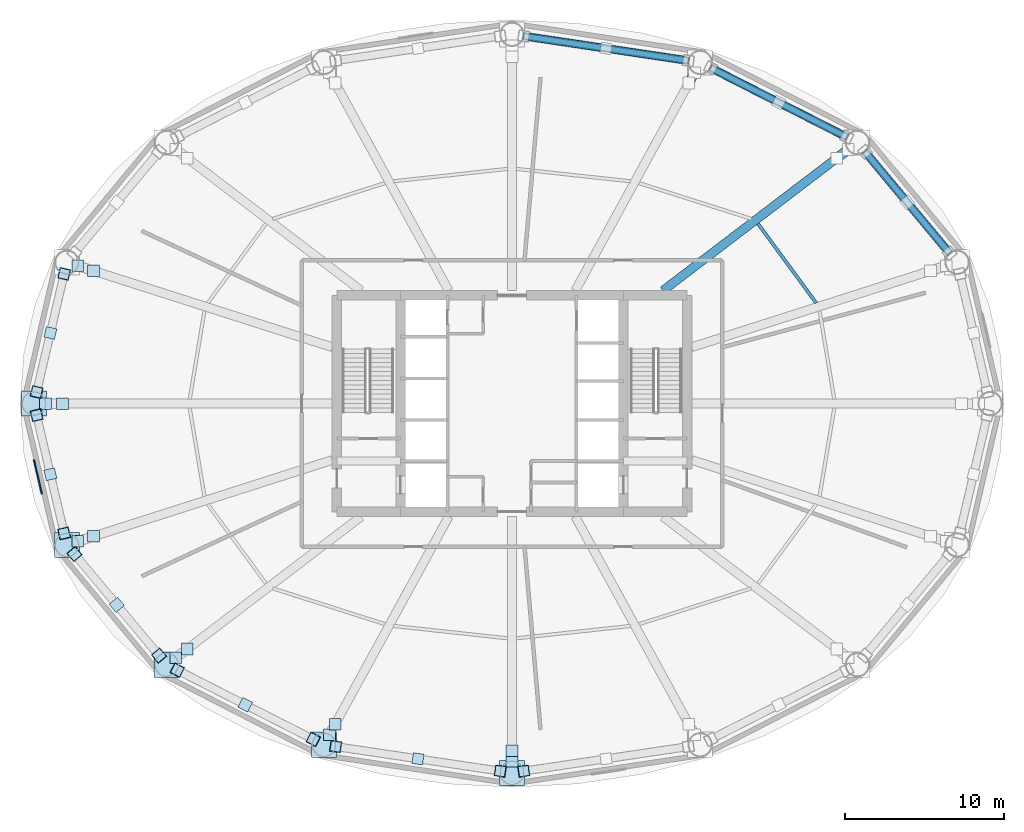
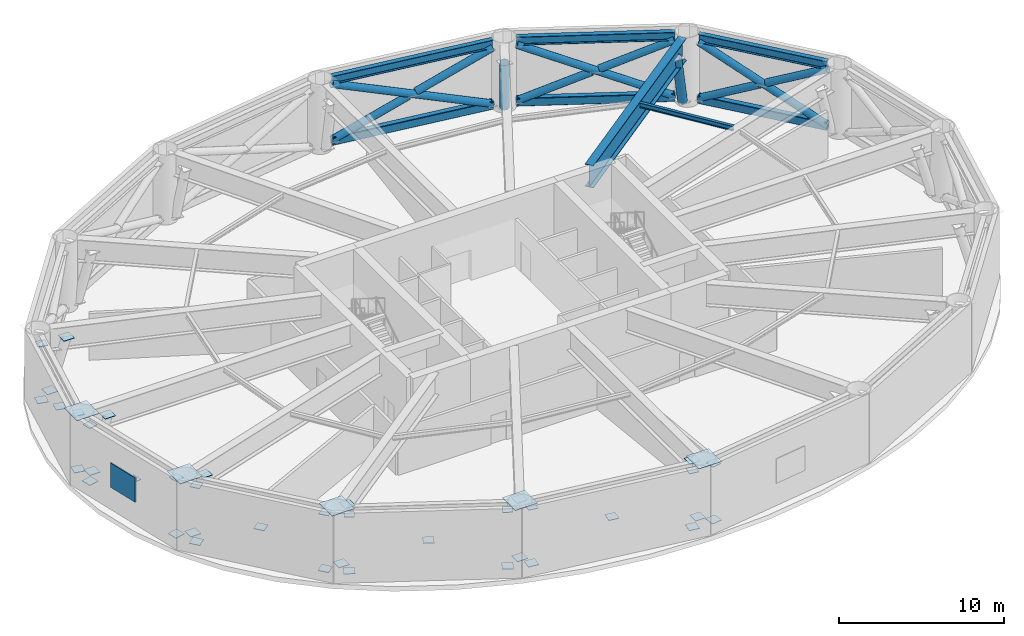
# One storey, part 3 of 7: 45 plates, 14 members, 5 beams.
"""IFC4 building model written with IfcOpenShell, lengths in metres."""

from ifc_helpers import new_model, si_unit, direction, frame, origin, origin_2d, place, context, subcontext, project, spatial, rectangle, hollow_rectangle, hollow_circle, i_section, extrude, material, layer, layer_set, material_profile, profile_set, type_object, element, save


model = new_model("IFC4")

# Units and contexts
model_context = context("Model", 3, precision=1e-05, world=origin(), true_north=direction((0.0, 1.0)))
body_context = subcontext(model_context, "Body", "Model", "MODEL_VIEW")
ifc_project = project(units=[si_unit("LENGTHUNIT", "METRE"), si_unit("AREAUNIT", "SQUARE_METRE"), si_unit("VOLUMEUNIT", "CUBIC_METRE"), si_unit("PLANEANGLEUNIT", "RADIAN"), si_unit("MASSUNIT", "GRAM", prefix="KILO")], contexts=[model_context])

# Site, building, storey
site_placement = place(None, origin())
site = spatial("IfcSite", under=ifc_project, at=site_placement, CompositionType="ELEMENT")
building_placement = place(site_placement, origin())
building = spatial("IfcBuilding", under=site, at=building_placement, Name="Sarneth Arch Tower", CompositionType="ELEMENT")
storey_placement = place(building_placement, frame((0.0, 0.0, 78.60009765625)))
storey = spatial("IfcBuildingStorey", under=building, at=storey_placement, Name="L19", CompositionType="ELEMENT", Elevation=78.60009765625)

# Beams
ifc_material_1 = material(Name="Steel S355", Category="steel")
ifc_material_profile_1 = material_profile(ifc_material_1, i_section(OverallWidth=0.202880859375, OverallDepth=0.346923828125, WebThickness=0.0078125, FlangeThickness=0.013427734375, FilletRadius=0.014892578125, at=origin_2d()), Name="W360x64")
ifc_profile_set_1 = profile_set([ifc_material_profile_1], Name="Steel S355")
beam_type_1 = type_object("IfcBeamType", Name="BM-JOIST-360C", PredefinedType="JOIST", material=ifc_profile_set_1)
beam_1_placement = place(storey_placement, frame((67.113037109375, 48.3193359375, 4.976318359375), z_axis=(-0.59154342723, 0.806273138397, 0.0), x_axis=(-0.806273138397, -0.59154342723, 0.0)))
element("IfcBeam", 1, at=beam_1_placement, inside=storey, type_object=beam_type_1, Name="L19 Secondary floor joist 02", PredefinedType="JOIST", context=body_context, shape_type="SweptSolid", body=[
    extrude(i_section(OverallWidth=0.202880859375, OverallDepth=0.346923828125, WebThickness=0.0078125, FlangeThickness=0.013427734375, FilletRadius=0.014892578125, at=origin_2d()), origin(), (0.0, 0.0, 1.0), 6.181640625),
])
ifc_material_2 = material(Name="Steel S355", Category="steel")
ifc_material_profile_2 = material_profile(ifc_material_2, i_section(OverallWidth=0.326904296875, OverallDepth=0.6220703125, WebThickness=0.015380859375, FlangeThickness=0.0244140625, FilletRadius=0.01904296875, at=origin_2d()), Name="W610x195")
ifc_profile_set_2 = profile_set([ifc_material_profile_2], Name="Steel S355")
beam_type_2 = type_object("IfcBeamType", Name="BM-SPAN-610A", PredefinedType="SPANDREL", material=ifc_profile_set_2)
beam_2_placement = place(storey_placement, frame((75.485595703125, 51.45458984375, 4.8388671875), z_axis=(-0.639981736251, 0.768390120489, 0.0), x_axis=(-0.768390120489, -0.639981736251, 0.0)))
element("IfcBeam", 2, at=beam_2_placement, inside=storey, type_object=beam_type_2, Name="L19 Perimeter spandrel beam 02", PredefinedType="SPANDREL", context=body_context, shape_type="SweptSolid", body=[
    extrude(i_section(OverallWidth=0.326904296875, OverallDepth=0.6220703125, WebThickness=0.015380859375, FlangeThickness=0.0244140625, FilletRadius=0.01904296875, at=origin_2d()), origin(), (0.0, 0.0, 1.0), 8.29541015625),
])
beam_3_placement = place(storey_placement, frame((69.0283203125, 58.7451171875, 4.8388671875), z_axis=(-0.891169106887, 0.453671271882, 0.0), x_axis=(-0.453671271882, -0.891169106887, 0.0)))
element("IfcBeam", 3, at=beam_3_placement, inside=storey, type_object=beam_type_2, Name="L19 Perimeter spandrel beam 03", PredefinedType="SPANDREL", context=body_context, shape_type="SweptSolid", body=[
    extrude(i_section(OverallWidth=0.326904296875, OverallDepth=0.6220703125, WebThickness=0.015380859375, FlangeThickness=0.0244140625, FilletRadius=0.01904296875, at=origin_2d()), origin(), (0.0, 0.0, 1.0), 9.58544921875),
])
beam_4_placement = place(storey_placement, frame((59.076171875, 63.544921875, 4.8388671875), z_axis=(-0.989020169581, 0.147780594675, 0.0), x_axis=(-0.147780594675, -0.989020169581, 0.0)))
element("IfcBeam", 4, at=beam_4_placement, inside=storey, type_object=beam_type_2, Name="L19 Perimeter spandrel beam 04", PredefinedType="SPANDREL", context=body_context, shape_type="SweptSolid", body=[
    extrude(i_section(OverallWidth=0.326904296875, OverallDepth=0.6220703125, WebThickness=0.015380859375, FlangeThickness=0.0244140625, FilletRadius=0.01904296875, at=origin_2d()), origin(), (0.0, 0.0, 1.0), 10.44921875),
])
ifc_material_3 = material(Name="Steel S355", Category="steel")
ifc_material_profile_3 = material_profile(ifc_material_3, i_section(OverallWidth=0.550048828125, OverallDepth=1.64990234375, WebThickness=0.02197265625, FlangeThickness=0.0380859375, FilletRadius=0.02392578125, at=origin_2d()), Name="CVS1650x680")
ifc_profile_set_3 = profile_set([ifc_material_profile_3], Name="Steel S355")
beam_type_3 = type_object("IfcBeamType", Name="BM-XFER-1650", PredefinedType="BEAM", material=ifc_profile_set_3)
beam_5_placement = place(storey_placement, frame((57.487060546875, 49.10009765625, 4.324951171875), z_axis=(0.79536339196, 0.606132885373, 0.0), x_axis=(-0.606132885373, 0.79536339196, 0.0)))
element("IfcBeam", 5, at=beam_5_placement, inside=storey, type_object=beam_type_3, Name="L19 Step-taper transfer girder 03", PredefinedType="BEAM", context=body_context, shape_type="SweptSolid", body=[
    extrude(i_section(OverallWidth=0.550048828125, OverallDepth=1.64990234375, WebThickness=0.02197265625, FlangeThickness=0.0380859375, FilletRadius=0.02392578125, at=origin_2d()), origin(), (0.0, 0.0, 1.0), 14.600830078125),
])

# Members
ifc_material_4 = material(Name="Steel S355", Category="steel")
ifc_material_profile_4 = material_profile(ifc_material_4, hollow_rectangle(XDim=0.39990234375, YDim=0.60009765625, WallThickness=0.02197265625, InnerFilletRadius=0.032958984375, OuterFilletRadius=0.054931640625, at=origin_2d()), Name="RHS600x400x22")
ifc_profile_set_4 = profile_set([ifc_material_profile_4], Name="Steel S355")
member_type_1 = type_object("IfcMemberType", Name="MEM-BELT-CHORD", PredefinedType="CHORD", material=ifc_profile_set_4)
member_1_placement = place(storey_placement, frame((75.485595703125, 51.45458984375, 0.349853515625), z_axis=(-0.639981736251, 0.768390120489, 0.0), x_axis=(-0.768390120489, -0.639981736251, 0.0)))
element("IfcMember", 6, at=member_1_placement, inside=storey, type_object=member_type_1, Name="L19 Ring belt bottom chord 02", PredefinedType="CHORD", context=body_context, shape_type="SweptSolid", body=[
    extrude(hollow_rectangle(XDim=0.39990234375, YDim=0.60009765625, WallThickness=0.02197265625, InnerFilletRadius=0.032958984375, OuterFilletRadius=0.054931640625, at=origin_2d()), origin(), (0.0, 0.0, 1.0), 8.29541015625),
])
member_2_placement = place(storey_placement, frame((69.0283203125, 58.7451171875, 0.349853515625), z_axis=(-0.891169106887, 0.453671271882, 0.0), x_axis=(-0.453671271882, -0.891169106887, 0.0)))
element("IfcMember", 7, at=member_2_placement, inside=storey, type_object=member_type_1, Name="L19 Ring belt bottom chord 03", PredefinedType="CHORD", context=body_context, shape_type="SweptSolid", body=[
    extrude(hollow_rectangle(XDim=0.39990234375, YDim=0.60009765625, WallThickness=0.02197265625, InnerFilletRadius=0.032958984375, OuterFilletRadius=0.054931640625, at=origin_2d()), origin(), (0.0, 0.0, 1.0), 9.58544921875),
])
member_3_placement = place(storey_placement, frame((59.076171875, 63.544921875, 0.349853515625), z_axis=(-0.989020169581, 0.147780594675, 0.0), x_axis=(-0.147780594675, -0.989020169581, 0.0)))
element("IfcMember", 8, at=member_3_placement, inside=storey, type_object=member_type_1, Name="L19 Ring belt bottom chord 04", PredefinedType="CHORD", context=body_context, shape_type="SweptSolid", body=[
    extrude(hollow_rectangle(XDim=0.39990234375, YDim=0.60009765625, WallThickness=0.02197265625, InnerFilletRadius=0.032958984375, OuterFilletRadius=0.054931640625, at=origin_2d()), origin(), (0.0, 0.0, 1.0), 10.44921875),
])
ifc_material_5 = material(Name="Steel S355", Category="steel")
ifc_material_profile_5 = material_profile(ifc_material_5, hollow_circle(Radius=0.304931640625, WallThickness=0.02001953125, at=origin_2d()), Name="CHS610x20")
ifc_profile_set_5 = profile_set([ifc_material_profile_5], Name="Steel S355")
member_type_2 = type_object("IfcMemberType", Name="MEM-BELT-DIAG1", PredefinedType="BRACE", material=ifc_profile_set_5)
member_4_placement = place(storey_placement, frame((69.115966796875, 57.96240234375, 0.449951171875), z_axis=(-0.184239852461, -0.140403041882, 0.972801450757), x_axis=(0.60612466617, -0.795369655607, 0.0)))
element("IfcMember", 9, at=member_4_placement, inside=storey, type_object=member_type_2, Name="L19 Step-taper inclined transfer strut 03", PredefinedType="BRACE", context=body_context, shape_type="SweptSolid", body=[
    extrude(hollow_circle(Radius=0.304931640625, WallThickness=0.02001953125, at=origin_2d()), origin(), (0.0, 0.0, 1.0), 3.8984375),
])
member_5_placement = place(storey_placement, frame((59.467529296875, 62.79345703125, 0.449951171875), z_axis=(-0.092418184178, -0.16891744668, 0.981287814782), x_axis=(0.877280487813, -0.479978067939, 0.0)))
element("IfcMember", 10, at=member_5_placement, inside=storey, type_object=member_type_2, Name="L19 Step-taper inclined transfer strut 04", PredefinedType="BRACE", context=body_context, shape_type="SweptSolid", body=[
    extrude(hollow_circle(Radius=0.304931640625, WallThickness=0.02001953125, at=origin_2d()), origin(), (0.0, 0.0, 1.0), 3.86474609375),
])
ifc_material_6 = material(Name="Steel S355", Category="steel")
ifc_material_profile_6 = material_profile(ifc_material_6, hollow_circle(Radius=0.25390625, WallThickness=0.01611328125, at=origin_2d()), Name="CHS508x16")
ifc_profile_set_6 = profile_set([ifc_material_profile_6], Name="Steel S355")
member_type_3 = type_object("IfcMemberType", Name="MEM-BELT-DIAG2", PredefinedType="BRACE", material=ifc_profile_set_6)
member_6_placement = place(storey_placement, frame((75.485595703125, 51.45458984375, 0.349853515625), z_axis=(-0.572132320621, 0.686927138504, 0.448102347781), x_axis=(-0.768390120489, -0.639981736251, 0.0)))
element("IfcMember", 11, at=member_6_placement, inside=storey, type_object=member_type_3, Name="L19 Ring belt continuous diagonal A02", PredefinedType="BRACE", context=body_context, shape_type="SweptSolid", body=[
    extrude(hollow_circle(Radius=0.25390625, WallThickness=0.01611328125, at=origin_2d()), origin(), (0.0, 0.0, 1.0), 9.279052734375),
])
member_7_placement = place(storey_placement, frame((70.1767578125, 57.82861328125, 0.349853515625), z_axis=(0.57209438266, -0.686947085381, 0.448120206211), x_axis=(0.768420127231, 0.639945707124, 0.0)))
element("IfcMember", 12, at=member_7_placement, inside=storey, type_object=member_type_3, Name="L19 Ring belt split diagonal B1-02", PredefinedType="BRACE", context=body_context, shape_type="SweptSolid", body=[
    extrude(hollow_circle(Radius=0.25390625, WallThickness=0.01611328125, at=origin_2d()), origin(), (0.0, 0.0, 1.0), 4.3896484375),
])
member_8_placement = place(storey_placement, frame((72.97412109375, 54.4697265625, 2.541015625), z_axis=(0.572167914661, -0.686912972301, 0.448078615778), x_axis=(0.768364050648, 0.640013035548, 0.0)))
element("IfcMember", 13, at=member_8_placement, inside=storey, type_object=member_type_3, Name="L19 Ring belt split diagonal B2-02", PredefinedType="BRACE", context=body_context, shape_type="SweptSolid", body=[
    extrude(hollow_circle(Radius=0.25390625, WallThickness=0.01611328125, at=origin_2d()), origin(), (0.0, 0.0, 1.0), 4.389404296875),
])
member_9_placement = place(storey_placement, frame((69.0283203125, 58.7451171875, 0.349853515625), z_axis=(-0.817564175755, 0.416200894525, 0.397951798487), x_axis=(-0.453671271882, -0.891169106887, 0.0)))
element("IfcMember", 14, at=member_9_placement, inside=storey, type_object=member_type_3, Name="L19 Ring belt continuous diagonal A03", PredefinedType="BRACE", context=body_context, shape_type="SweptSolid", body=[
    extrude(hollow_circle(Radius=0.25390625, WallThickness=0.01611328125, at=origin_2d()), origin(), (0.0, 0.0, 1.0), 10.448486328125),
])
for number, where, z_axis, x_axis, name in (
    (15, (60.486083984375, 63.09375, 0.349853515625), (0.817555850033, -0.416213820513, 0.397955384047), (0.453686130759, 0.891161542459, 0.0), "L19 Ring belt split diagonal B1-03"),
    (16, (64.961669921875, 60.8154296875, 2.5283203125), (0.817555850033, -0.416213820513, 0.397955384047), (0.453686130759, 0.891161542459, 0.0), "L19 Ring belt split diagonal B2-03"),
):
    element("IfcMember", number, at=place(storey_placement, frame(where, z_axis=z_axis, x_axis=x_axis)), inside=storey, type_object=member_type_3, Name=name, PredefinedType="BRACE", context=body_context, shape_type="SweptSolid", body=[
        extrude(hollow_circle(Radius=0.25390625, WallThickness=0.01611328125, at=origin_2d()), origin(), (0.0, 0.0, 1.0), 4.97412109375),
    ])
member_10_placement = place(storey_placement, frame((59.076171875, 63.544921875, 0.349853515625), z_axis=(-0.918939432826, 0.137309045892, 0.369724958197), x_axis=(-0.147780594675, -0.989020169581, 0.0)))
element("IfcMember", 17, at=member_10_placement, inside=storey, type_object=member_type_3, Name="L19 Ring belt continuous diagonal A04", PredefinedType="BRACE", context=body_context, shape_type="SweptSolid", body=[
    extrude(hollow_circle(Radius=0.25390625, WallThickness=0.01611328125, at=origin_2d()), origin(), (0.0, 0.0, 1.0), 11.24609375),
])
for number, where, z_axis, x_axis, name in (
    (18, (48.74169921875, 65.089111328125, 0.349853515625), (0.918937272921, -0.137313510619, 0.369728668402), (0.147785634721, 0.989019416478, 0.0), "L19 Ring belt split diagonal B1-04"),
    (19, (54.138671875, 64.28271484375, 2.521240234375), (0.918937272921, -0.137313510619, 0.369728668402), (0.147785634721, 0.989019416478, 0.0), "L19 Ring belt split diagonal B2-04"),
):
    element("IfcMember", number, at=place(storey_placement, frame(where, z_axis=z_axis, x_axis=x_axis)), inside=storey, type_object=member_type_3, Name=name, PredefinedType="BRACE", context=body_context, shape_type="SweptSolid", body=[
        extrude(hollow_circle(Radius=0.25390625, WallThickness=0.01611328125, at=origin_2d()), origin(), (0.0, 0.0, 1.0), 5.373046875),
    ])

# Plates
ifc_material_7 = material(Name="Powder-coated Aluminium 6063-T6 stormproof acoustic louvre", Category="aluminium")
ifc_layer_1 = layer(ifc_material_7, 0.094970703125)
ifc_layer_set_1 = layer_set([ifc_layer_1], Name="Powder-coated Aluminium 6063-T6 stormproof acoustic louvre")
plate_type_1 = type_object("IfcPlateType", Name="LOUVRE-PLANT", PredefinedType="SHEET", material=ifc_layer_set_1)
plate_1_placement = place(storey_placement, frame((18.215576171875, 37.39697265625, 1.6748046875), z_axis=(0.0, 0.0, 1.0), x_axis=(0.225461202458, -0.974252147129, 0.0)))
element("IfcPlate", 20, at=plate_1_placement, inside=storey, type_object=plate_type_1, Name="L19 Mechanical louvre 09", PredefinedType="SHEET", context=body_context, shape_type="SweptSolid", body=[
    extrude(rectangle(XDim=2.199951171875, YDim=0.094970703125, at=origin_2d()), origin(), (0.0, 0.0, 1.0), 1.800048828125),
])
ifc_material_8 = material(Name="Steel S355", Category="steel")
ifc_layer_2 = layer(ifc_material_8, 0.035888671875)
ifc_layer_set_2 = layer_set([ifc_layer_2], Name="Steel S355")
plate_type_2 = type_object("IfcPlateType", Name="PLT-GUSSET-30", PredefinedType="SHEET", material=ifc_layer_set_2)
plate_2_placement = place(storey_placement, frame((18.999755859375, 46.439208984375, 2.4111328125), z_axis=(0.0, 0.0, 1.0), x_axis=(-0.226991275371, -0.973896791711, 0.0)))
element("IfcPlate", 21, at=plate_2_placement, inside=storey, type_object=plate_type_2, Name="Steel end cap plate GP-1", PredefinedType="SHEET", context=body_context, shape_type="SweptSolid", body=[
    extrude(rectangle(XDim=0.679931640625, YDim=0.679931640625, at=origin_2d()), origin(), (0.0, 0.0, 1.0), 0.035888671875),
])
for number, where, z_axis, x_axis, name in (
    (22, (19.8642578125, 50.14794921875, 0.33203125), (0.0, 0.0, 1.0), (0.226991275371, 0.973896791711, 0.0), "Steel end cap plate GP-1"),
    (23, (18.135498046875, 42.73046875, 0.33203125), (0.0, 0.0, 1.0), (-0.226991275371, -0.973896791711, 0.0), "Steel end cap plate GP-1"),
):
    element("IfcPlate", number, at=place(storey_placement, frame(where, z_axis=z_axis, x_axis=x_axis)), inside=storey, type_object=plate_type_2, Name=name, PredefinedType="SHEET", context=body_context, shape_type="SweptSolid", body=[
        extrude(rectangle(XDim=0.699951171875, YDim=0.699951171875, at=origin_2d()), origin(), (0.0, 0.0, 1.0), 0.035888671875),
    ])
for number, where, z_axis, x_axis, name in (
    (24, (19.8642578125, 50.14794921875, 4.48974609375), (0.0, 0.0, 1.0), (0.226991275371, 0.973896791711, 0.0), "Steel end cap plate GP-1"),
    (25, (18.135498046875, 42.73046875, 4.48974609375), (0.0, 0.0, 1.0), (-0.226991275371, -0.973896791711, 0.0), "Steel end cap plate GP-1"),
):
    element("IfcPlate", number, at=place(storey_placement, frame(where, z_axis=z_axis, x_axis=x_axis)), inside=storey, type_object=plate_type_2, Name=name, PredefinedType="SHEET", context=body_context, shape_type="SweptSolid", body=[
        extrude(rectangle(XDim=0.6298828125, YDim=0.6298828125, at=origin_2d()), origin(), (0.0, 0.0, 1.0), 0.035888671875),
    ])
for number, where, z_axis, x_axis, name in (
    (26, (20.729736328125, 50.65576171875, 0.43212890625), (0.0, 0.0, 1.0), (1.0, 0.0, 0.0), "Steel end cap plate GP-1"),
    (27, (21.708740234375, 50.342529296875, 4.224609375), (0.0, 0.0, 1.0), (1.0, 0.0, 0.0), "Steel end cap plate GP-1"),
):
    element("IfcPlate", number, at=place(storey_placement, frame(where, z_axis=z_axis, x_axis=x_axis)), inside=storey, type_object=plate_type_2, Name=name, PredefinedType="SHEET", context=body_context, shape_type="SweptSolid", body=[
        extrude(rectangle(XDim=0.72998046875, YDim=0.72998046875, at=origin_2d()), origin(), (0.0, 0.0, 1.0), 0.035888671875),
    ])
plate_3_placement = place(storey_placement, frame((18.999755859375, 37.560791015625, 2.4111328125), z_axis=(0.0, 0.0, 1.0), x_axis=(0.226991275371, -0.973896791711, 0.0)))
element("IfcPlate", 28, at=plate_3_placement, inside=storey, type_object=plate_type_2, Name="Steel end cap plate GP-1", PredefinedType="SHEET", context=body_context, shape_type="SweptSolid", body=[
    extrude(rectangle(XDim=0.679931640625, YDim=0.679931640625, at=origin_2d()), origin(), (0.0, 0.0, 1.0), 0.035888671875),
])
for number, where, z_axis, x_axis, name in (
    (29, (18.135498046875, 41.26953125, 0.33203125), (0.0, 0.0, 1.0), (-0.226991275371, 0.973896791711, 0.0), "Steel end cap plate GP-1"),
    (30, (19.8642578125, 33.85205078125, 0.33203125), (0.0, 0.0, 1.0), (0.226991275371, -0.973896791711, 0.0), "Steel end cap plate GP-1"),
):
    element("IfcPlate", number, at=place(storey_placement, frame(where, z_axis=z_axis, x_axis=x_axis)), inside=storey, type_object=plate_type_2, Name=name, PredefinedType="SHEET", context=body_context, shape_type="SweptSolid", body=[
        extrude(rectangle(XDim=0.699951171875, YDim=0.699951171875, at=origin_2d()), origin(), (0.0, 0.0, 1.0), 0.035888671875),
    ])
for number, where, z_axis, x_axis, name in (
    (31, (18.135498046875, 41.26953125, 4.48974609375), (0.0, 0.0, 1.0), (-0.226991275371, 0.973896791711, 0.0), "Steel end cap plate GP-1"),
    (32, (19.8642578125, 33.85205078125, 4.48974609375), (0.0, 0.0, 1.0), (0.226991275371, -0.973896791711, 0.0), "Steel end cap plate GP-1"),
):
    element("IfcPlate", number, at=place(storey_placement, frame(where, z_axis=z_axis, x_axis=x_axis)), inside=storey, type_object=plate_type_2, Name=name, PredefinedType="SHEET", context=body_context, shape_type="SweptSolid", body=[
        extrude(rectangle(XDim=0.6298828125, YDim=0.6298828125, at=origin_2d()), origin(), (0.0, 0.0, 1.0), 0.035888671875),
    ])
for number, where, z_axis, x_axis, name in (
    (33, (18.6953125, 42.0, 0.43212890625), (0.0, 0.0, 1.0), (1.0, 0.0, 0.0), "Steel end cap plate GP-1"),
    (34, (19.763427734375, 42.0, 4.224609375), (0.0, 0.0, 1.0), (1.0, 0.0, 0.0), "Steel end cap plate GP-1"),
):
    element("IfcPlate", number, at=place(storey_placement, frame(where, z_axis=z_axis, x_axis=x_axis)), inside=storey, type_object=plate_type_2, Name=name, PredefinedType="SHEET", context=body_context, shape_type="SweptSolid", body=[
        extrude(rectangle(XDim=0.72998046875, YDim=0.72998046875, at=origin_2d()), origin(), (0.0, 0.0, 1.0), 0.035888671875),
    ])
plate_4_placement = place(storey_placement, frame((23.1689453125, 29.3583984375, 2.4111328125), z_axis=(0.0, 0.0, 1.0), x_axis=(0.639975598965, -0.76839523211, 0.0)))
element("IfcPlate", 35, at=plate_4_placement, inside=storey, type_object=plate_type_2, Name="Steel end cap plate GP-1", PredefinedType="SHEET", context=body_context, shape_type="SweptSolid", body=[
    extrude(rectangle(XDim=0.679931640625, YDim=0.679931640625, at=origin_2d()), origin(), (0.0, 0.0, 1.0), 0.035888671875),
])
for number, where, z_axis, x_axis, name in (
    (36, (20.514404296875, 32.54541015625, 0.33203125), (0.0, 0.0, 1.0), (-0.639975598965, 0.76839523211, 0.0), "Steel end cap plate GP-1"),
    (37, (25.8232421875, 26.17138671875, 0.33203125), (0.0, 0.0, 1.0), (0.639975598965, -0.76839523211, 0.0), "Steel end cap plate GP-1"),
):
    element("IfcPlate", number, at=place(storey_placement, frame(where, z_axis=z_axis, x_axis=x_axis)), inside=storey, type_object=plate_type_2, Name=name, PredefinedType="SHEET", context=body_context, shape_type="SweptSolid", body=[
        extrude(rectangle(XDim=0.699951171875, YDim=0.699951171875, at=origin_2d()), origin(), (0.0, 0.0, 1.0), 0.035888671875),
    ])
for number, where, z_axis, x_axis, name in (
    (38, (20.514404296875, 32.54541015625, 4.48974609375), (0.0, 0.0, 1.0), (-0.639975598965, 0.76839523211, 0.0), "Steel end cap plate GP-1"),
    (39, (25.8232421875, 26.17138671875, 4.48974609375), (0.0, 0.0, 1.0), (0.639975598965, -0.76839523211, 0.0), "Steel end cap plate GP-1"),
):
    element("IfcPlate", number, at=place(storey_placement, frame(where, z_axis=z_axis, x_axis=x_axis)), inside=storey, type_object=plate_type_2, Name=name, PredefinedType="SHEET", context=body_context, shape_type="SweptSolid", body=[
        extrude(rectangle(XDim=0.6298828125, YDim=0.6298828125, at=origin_2d()), origin(), (0.0, 0.0, 1.0), 0.035888671875),
    ])
for number, where, z_axis, x_axis, name in (
    (40, (20.729736328125, 33.34423828125, 0.43212890625), (0.0, 0.0, 1.0), (1.0, 0.0, 0.0), "Steel end cap plate GP-1"),
    (41, (21.708740234375, 33.657470703125, 4.224609375), (0.0, 0.0, 1.0), (1.0, 0.0, 0.0), "Steel end cap plate GP-1"),
):
    element("IfcPlate", number, at=place(storey_placement, frame(where, z_axis=z_axis, x_axis=x_axis)), inside=storey, type_object=plate_type_2, Name=name, PredefinedType="SHEET", context=body_context, shape_type="SweptSolid", body=[
        extrude(rectangle(XDim=0.72998046875, YDim=0.72998046875, at=origin_2d()), origin(), (0.0, 0.0, 1.0), 0.035888671875),
    ])
plate_5_placement = place(storey_placement, frame((31.24267578125, 23.08056640625, 2.4111328125), z_axis=(0.0, 0.0, 1.0), x_axis=(0.891164942482, -0.453679452137, 0.0)))
element("IfcPlate", 42, at=plate_5_placement, inside=storey, type_object=plate_type_2, Name="Steel end cap plate GP-1", PredefinedType="SHEET", context=body_context, shape_type="SweptSolid", body=[
    extrude(rectangle(XDim=0.679931640625, YDim=0.679931640625, at=origin_2d()), origin(), (0.0, 0.0, 1.0), 0.035888671875),
])
for number, where, z_axis, x_axis, name in (
    (43, (26.9716796875, 25.2548828125, 0.33203125), (0.0, 0.0, 1.0), (-0.891164942482, 0.453679452137, 0.0), "Steel end cap plate GP-1"),
    (44, (35.513916015625, 20.90625, 0.33203125), (0.0, 0.0, 1.0), (0.891164942482, -0.453679452137, 0.0), "Steel end cap plate GP-1"),
):
    element("IfcPlate", number, at=place(storey_placement, frame(where, z_axis=z_axis, x_axis=x_axis)), inside=storey, type_object=plate_type_2, Name=name, PredefinedType="SHEET", context=body_context, shape_type="SweptSolid", body=[
        extrude(rectangle(XDim=0.699951171875, YDim=0.699951171875, at=origin_2d()), origin(), (0.0, 0.0, 1.0), 0.035888671875),
    ])
for number, where, z_axis, x_axis, name in (
    (45, (26.9716796875, 25.2548828125, 4.48974609375), (0.0, 0.0, 1.0), (-0.891164942482, 0.453679452137, 0.0), "Steel end cap plate GP-1"),
    (46, (35.513916015625, 20.90625, 4.48974609375), (0.0, 0.0, 1.0), (0.891164942482, -0.453679452137, 0.0), "Steel end cap plate GP-1"),
):
    element("IfcPlate", number, at=place(storey_placement, frame(where, z_axis=z_axis, x_axis=x_axis)), inside=storey, type_object=plate_type_2, Name=name, PredefinedType="SHEET", context=body_context, shape_type="SweptSolid", body=[
        extrude(rectangle(XDim=0.6298828125, YDim=0.6298828125, at=origin_2d()), origin(), (0.0, 0.0, 1.0), 0.035888671875),
    ])
for number, where, z_axis, x_axis, name in (
    (47, (26.884033203125, 26.03759765625, 0.43212890625), (0.0, 0.0, 1.0), (1.0, 0.0, 0.0), "Steel end cap plate GP-1"),
    (48, (27.602294921875, 26.5849609375, 4.224609375), (0.0, 0.0, 1.0), (1.0, 0.0, 0.0), "Steel end cap plate GP-1"),
):
    element("IfcPlate", number, at=place(storey_placement, frame(where, z_axis=z_axis, x_axis=x_axis)), inside=storey, type_object=plate_type_2, Name=name, PredefinedType="SHEET", context=body_context, shape_type="SweptSolid", body=[
        extrude(rectangle(XDim=0.72998046875, YDim=0.72998046875, at=origin_2d()), origin(), (0.0, 0.0, 1.0), 0.035888671875),
    ])
plate_6_placement = place(storey_placement, frame((42.091064453125, 19.68310546875, 2.4111328125), z_axis=(0.0, 0.0, 1.0), x_axis=(0.989015863362, -0.14780941113, 0.0)))
element("IfcPlate", 49, at=plate_6_placement, inside=storey, type_object=plate_type_2, Name="Steel end cap plate GP-1", PredefinedType="SHEET", context=body_context, shape_type="SweptSolid", body=[
    extrude(rectangle(XDim=0.679931640625, YDim=0.679931640625, at=origin_2d()), origin(), (0.0, 0.0, 1.0), 0.035888671875),
])
for number, where, z_axis, x_axis, name in (
    (50, (36.923828125, 20.455078125, 0.33203125), (0.0, 0.0, 1.0), (-0.989015863362, 0.14780941113, 0.0), "Steel end cap plate GP-1"),
    (51, (47.25830078125, 18.910888671875, 0.33203125), (0.0, 0.0, 1.0), (0.989015863362, -0.14780941113, 0.0), "Steel end cap plate GP-1"),
):
    element("IfcPlate", number, at=place(storey_placement, frame(where, z_axis=z_axis, x_axis=x_axis)), inside=storey, type_object=plate_type_2, Name=name, PredefinedType="SHEET", context=body_context, shape_type="SweptSolid", body=[
        extrude(rectangle(XDim=0.699951171875, YDim=0.699951171875, at=origin_2d()), origin(), (0.0, 0.0, 1.0), 0.035888671875),
    ])
for number, where, z_axis, x_axis, name in (
    (52, (36.923828125, 20.455078125, 4.48974609375), (0.0, 0.0, 1.0), (-0.989015863362, 0.14780941113, 0.0), "Steel end cap plate GP-1"),
    (53, (47.25830078125, 18.910888671875, 4.48974609375), (0.0, 0.0, 1.0), (0.989015863362, -0.14780941113, 0.0), "Steel end cap plate GP-1"),
):
    element("IfcPlate", number, at=place(storey_placement, frame(where, z_axis=z_axis, x_axis=x_axis)), inside=storey, type_object=plate_type_2, Name=name, PredefinedType="SHEET", context=body_context, shape_type="SweptSolid", body=[
        extrude(rectangle(XDim=0.6298828125, YDim=0.6298828125, at=origin_2d()), origin(), (0.0, 0.0, 1.0), 0.035888671875),
    ])
for number, where, z_axis, x_axis, name in (
    (54, (36.532470703125, 21.20654296875, 0.43212890625), (0.0, 0.0, 1.0), (1.0, 0.0, 0.0), "Steel end cap plate GP-1"),
    (55, (36.8896484375, 21.859375, 4.224609375), (0.0, 0.0, 1.0), (1.0, 0.0, 0.0), "Steel end cap plate GP-1"),
):
    element("IfcPlate", number, at=place(storey_placement, frame(where, z_axis=z_axis, x_axis=x_axis)), inside=storey, type_object=plate_type_2, Name=name, PredefinedType="SHEET", context=body_context, shape_type="SweptSolid", body=[
        extrude(rectangle(XDim=0.72998046875, YDim=0.72998046875, at=origin_2d()), origin(), (0.0, 0.0, 1.0), 0.035888671875),
    ])
plate_7_placement = place(storey_placement, frame((48.74169921875, 18.910888671875, 0.33203125), z_axis=(0.0, 0.0, 1.0), x_axis=(-0.989015863362, -0.14780941113, 0.0)))
element("IfcPlate", 56, at=plate_7_placement, inside=storey, type_object=plate_type_2, Name="Steel end cap plate GP-1", PredefinedType="SHEET", context=body_context, shape_type="SweptSolid", body=[
    extrude(rectangle(XDim=0.699951171875, YDim=0.699951171875, at=origin_2d()), origin(), (0.0, 0.0, 1.0), 0.035888671875),
])
plate_8_placement = place(storey_placement, frame((48.74169921875, 18.910888671875, 4.48974609375), z_axis=(0.0, 0.0, 1.0), x_axis=(-0.989015863362, -0.14780941113, 0.0)))
element("IfcPlate", 57, at=plate_8_placement, inside=storey, type_object=plate_type_2, Name="Steel end cap plate GP-1", PredefinedType="SHEET", context=body_context, shape_type="SweptSolid", body=[
    extrude(rectangle(XDim=0.6298828125, YDim=0.6298828125, at=origin_2d()), origin(), (0.0, 0.0, 1.0), 0.035888671875),
])
for number, where, z_axis, x_axis, name in (
    (58, (48.0, 19.530029296875, 0.43212890625), (0.0, 0.0, 1.0), (1.0, 0.0, 0.0), "Steel end cap plate GP-1"),
    (59, (48.0, 20.199951171875, 4.224609375), (0.0, 0.0, 1.0), (1.0, 0.0, 0.0), "Steel end cap plate GP-1"),
):
    element("IfcPlate", number, at=place(storey_placement, frame(where, z_axis=z_axis, x_axis=x_axis)), inside=storey, type_object=plate_type_2, Name=name, PredefinedType="SHEET", context=body_context, shape_type="SweptSolid", body=[
        extrude(rectangle(XDim=0.72998046875, YDim=0.72998046875, at=origin_2d()), origin(), (0.0, 0.0, 1.0), 0.035888671875),
    ])
ifc_material_9 = material(Name="Steel S355", Category="steel")
ifc_layer_3 = layer(ifc_material_9, 0.0400390625)
ifc_layer_set_3 = layer_set([ifc_layer_3], Name="Steel S355")
plate_type_3 = type_object("IfcPlateType", Name="PLT-SPLICE-40", PredefinedType="SHEET", material=ifc_layer_set_3)
for number, where, z_axis, x_axis, name in (
    (60, (17.965087890625, 42.0, 5.1318359375), (0.0, 0.0, 1.0), (1.0, 0.0, 0.0), "Steel end cap plate GP-2"),
    (61, (20.034423828125, 33.121826171875, 5.1318359375), (0.0, 0.0, 1.0), (1.0, 0.0, 0.0), "Steel end cap plate GP-2"),
    (62, (26.303466796875, 25.59521484375, 5.1318359375), (0.0, 0.0, 1.0), (1.0, 0.0, 0.0), "Steel end cap plate GP-2"),
    (63, (36.18212890625, 20.56591796875, 5.1318359375), (0.0, 0.0, 1.0), (1.0, 0.0, 0.0), "Steel end cap plate GP-2"),
    (64, (48.0, 18.800048828125, 5.1318359375), (0.0, 0.0, 1.0), (1.0, 0.0, 0.0), "Steel end cap plate GP-2"),
):
    element("IfcPlate", number, at=place(storey_placement, frame(where, z_axis=z_axis, x_axis=x_axis)), inside=storey, type_object=plate_type_3, Name=name, PredefinedType="SHEET", context=body_context, shape_type="SweptSolid", body=[
        extrude(rectangle(XDim=1.580078125, YDim=1.580078125, at=origin_2d()), origin(), (0.0, 0.0, 1.0), 0.035888671875),
    ])

save(model, "model.ifc")
